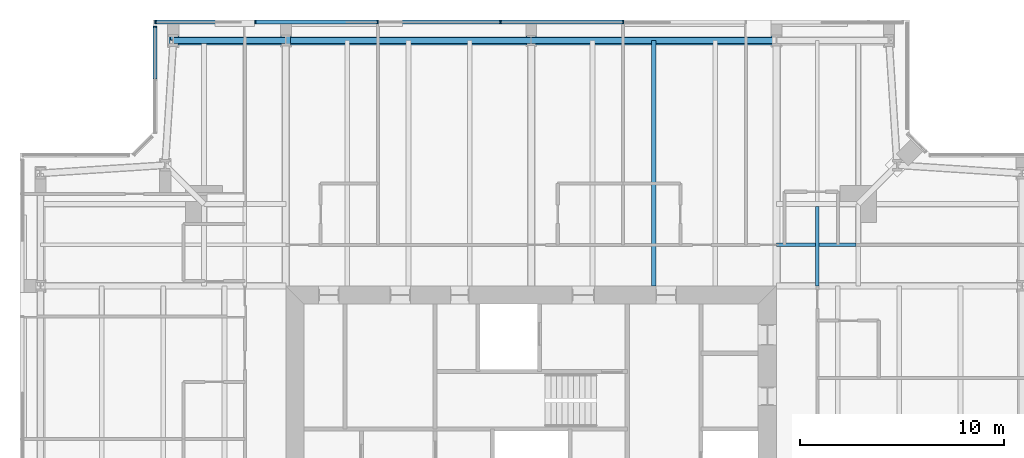
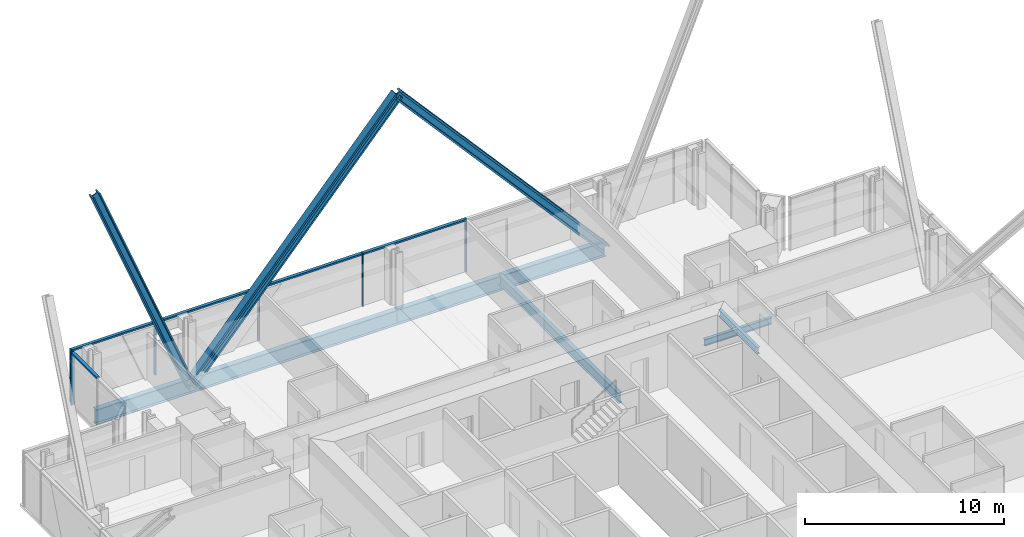
# One storey, part 8 of 18: 14 members, 7 beams, 2 elements without a shape of their own.
"""IFC4 building model written with IfcOpenShell, lengths in metres."""

from ifc_helpers import new_model, si_unit, direction, frame, origin, origin_2d, place, context, subcontext, project, spatial, rectangle, i_section, extrude, material, material_profile, profile_set, type_object, element, aggregate, save


model = new_model("IFC4")

# Units and contexts
model_context = context("Model", 3, precision=1e-05, world=origin(), true_north=direction((0.0, 1.0)))
body_context = subcontext(model_context, "Body", "Model", "MODEL_VIEW")
ifc_project = project(units=[si_unit("LENGTHUNIT", "METRE"), si_unit("AREAUNIT", "SQUARE_METRE"), si_unit("VOLUMEUNIT", "CUBIC_METRE"), si_unit("PLANEANGLEUNIT", "RADIAN"), si_unit("MASSUNIT", "GRAM", prefix="KILO")], contexts=[model_context])

# Site, building, storey
site_placement = place(None, origin())
site = spatial("IfcSite", under=ifc_project, at=site_placement, CompositionType="ELEMENT")
building_placement = place(site_placement, origin())
building = spatial("IfcBuilding", under=site, at=building_placement, Name="Fenwick Lantern Interchange", CompositionType="ELEMENT")
storey_placement = place(building_placement, frame((0.0, 0.0, 269.60009765625)))
storey = spatial("IfcBuildingStorey", under=building, at=storey_placement, Name="L64", CompositionType="ELEMENT", Elevation=269.60009765625)

# Beams
ifc_material_1 = material(Name="Steel ASTM A992 Grade 50", Category="steel")
ifc_material_profile_1 = material_profile(ifc_material_1, i_section(OverallWidth=0.3046875, OverallDepth=0.911865234375, WebThickness=0.015869140625, FlangeThickness=0.02392578125, at=origin_2d()), Name="W36X150")
ifc_profile_set_1 = profile_set([ifc_material_profile_1], Name="Steel ASTM A992 Grade 50")
beam_type_1 = type_object("IfcBeamType", Name="EDGE BEAM W36X150", PredefinedType="SPANDREL", material=ifc_profile_set_1)
for number, where, z_axis, x_axis, name in (
    (1, (37.0, 49.0, -0.60595703125), (-1.0, 0.0, 0.0), (0.0, -1.0, 0.0), "L64/FR/N/EB2"),
    (2, (25.0, 49.0, -0.60595703125), (-1.0, 0.0, 0.0), (0.0, -1.0, 0.0), "L64/FR/N/EB3"),
):
    element("IfcBeam", number, at=place(storey_placement, frame(where, z_axis=z_axis, x_axis=x_axis)), inside=storey, type_object=beam_type_1, Name=name, PredefinedType="SPANDREL", context=body_context, shape_type="SweptSolid", body=[
        extrude(i_section(OverallWidth=0.3046875, OverallDepth=0.911865234375, WebThickness=0.015869140625, FlangeThickness=0.02392578125, at=origin_2d()), origin(), (0.0, 0.0, 1.0), 12.0),
    ])
beam_1_placement = place(storey_placement, frame((13.0, 49.0, -0.60595703125), z_axis=(-1.0, 0.0, 0.0), x_axis=(0.0, -1.0, 0.0)))
element("IfcBeam", 3, at=beam_1_placement, inside=storey, type_object=beam_type_1, Name="L64/FR/N/EB4", PredefinedType="SPANDREL", context=body_context, shape_type="SweptSolid", body=[
    extrude(i_section(OverallWidth=0.3046875, OverallDepth=0.911865234375, WebThickness=0.015869140625, FlangeThickness=0.02392578125, at=origin_2d()), origin(), (0.0, 0.0, 1.0), 5.5),
])

# Members
ifc_material_profile_2 = material_profile(ifc_material_1, i_section(OverallWidth=0.424072265625, OverallDepth=0.47509765625, WebThickness=0.0478515625, FlangeThickness=0.0771484375, at=origin_2d()), Name="W14X426")
ifc_profile_set_2 = profile_set([ifc_material_profile_2], Name="Steel ASTM A992 Grade 50")
member_type_1 = type_object("IfcMemberType", Name="FACADE BRACE W14X426", PredefinedType="BRACE", material=ifc_profile_set_2)
member_1_placement = place(storey_placement, frame((13.0, 49.0, -0.60595703125), z_axis=(-0.37491730453, 0.0, 0.92705825856), x_axis=(0.0, -1.0, 0.0)))
element("IfcMember", 4, at=member_1_placement, inside=storey, type_object=member_type_1, Name="L64/FB/N/BE", PredefinedType="BRACE", context=body_context, shape_type="SweptSolid", body=[
    extrude(i_section(OverallWidth=0.424072265625, OverallDepth=0.47509765625, WebThickness=0.0478515625, FlangeThickness=0.0771484375, at=origin_2d()), origin(), (0.0, 0.0, 1.0), 14.669921875),
])
ifc_material_profile_3 = material_profile(ifc_material_1, i_section(OverallWidth=0.44189453125, OverallDepth=0.53076171875, WebThickness=0.06591796875, FlangeThickness=0.105712890625, at=origin_2d()), Name="W14X605")
ifc_profile_set_3 = profile_set([ifc_material_profile_3], Name="Steel ASTM A992 Grade 50")
member_type_2 = type_object("IfcMemberType", Name="FACADE BRACE W14X605", PredefinedType="BRACE", material=ifc_profile_set_3)
for number, where, z_axis, x_axis, name in (
    (5, (37.0, 49.0, -0.60595703125), (-0.661625643894, 0.0, 0.749834319928), (0.0, -1.0, 0.0), "L64/FB/N/A"),
    (6, (13.0, 49.0, -0.60595703125), (0.661625643894, 0.0, 0.749834319928), (0.0, 1.0, 0.0), "L64/FB/N/B"),
):
    element("IfcMember", number, at=place(storey_placement, frame(where, z_axis=z_axis, x_axis=x_axis)), inside=storey, type_object=member_type_2, Name=name, PredefinedType="BRACE", context=body_context, shape_type="SweptSolid", body=[
        extrude(i_section(OverallWidth=0.44189453125, OverallDepth=0.53076171875, WebThickness=0.06591796875, FlangeThickness=0.105712890625, at=origin_2d()), origin(), (0.0, 0.0, 1.0), 18.13720703125),
    ])

# Beam
ifc_material_profile_4 = material_profile(ifc_material_1, i_section(OverallWidth=0.22900390625, OverallDepth=0.612060546875, WebThickness=0.011962890625, FlangeThickness=0.01953125, at=origin_2d()), Name="W24X84")
ifc_profile_set_4 = profile_set([ifc_material_profile_4], Name="Steel ASTM A992 Grade 50")
beam_type_2 = type_object("IfcBeamType", Name="FLOOR BEAM W24X84", PredefinedType="BEAM", material=ifc_profile_set_4)
beam_2_placement = place(storey_placement, frame((31.0, 49.0, -0.4560546875), z_axis=(0.0, -1.0, 0.0), x_axis=(1.0, 0.0, 0.0)))
element("IfcBeam", 7, at=beam_2_placement, inside=storey, type_object=beam_type_2, Name="L64/FR/N/R03", PredefinedType="BEAM", context=body_context, shape_type="SweptSolid", body=[
    extrude(i_section(OverallWidth=0.22900390625, OverallDepth=0.612060546875, WebThickness=0.011962890625, FlangeThickness=0.01953125, at=origin_2d()), origin(), (0.0, 0.0, 1.0), 12.0),
])

# Curtain wall, members
ifc_material_2 = material(Name="Aluminium curtain wall frame", Category="aluminium")
curtain_wall_type = type_object("IfcCurtainWallType", Name="HOTEL CURTAIN WALL", PredefinedType="USERDEFINED", material=ifc_material_2)
curtain_wall_1_placement = place(storey_placement, origin())
curtain_wall_1 = element("IfcCurtainWall", 8, at=curtain_wall_1_placement, inside=storey, type_object=curtain_wall_type, Name="Hotel curtain wall 09", ObjectType="HOTEL CURTAIN WALL", PredefinedType="USERDEFINED")
ifc_material_3 = material(Name="Aluminium extrusion", Category="aluminium")
ifc_material_profile_5 = material_profile(ifc_material_3, rectangle(XDim=0.179931640625, YDim=0.06005859375, at=origin_2d()), Name="HOTEL CURTAIN WALL MULLION 60 X 180")
ifc_profile_set_5 = profile_set([ifc_material_profile_5], Name="Aluminium extrusion")
member_type_3 = type_object("IfcMemberType", Name="HOTEL CURTAIN WALL MULLION 60 X 180", PredefinedType="MULLION", material=ifc_profile_set_5)
member_2_placement = place(storey_placement, frame((29.5, 49.89990234375, 0.0), z_axis=(0.0, 0.0, 1.0), x_axis=(0.0, -1.0, 0.0)))
member_2 = element("IfcMember", 9, at=member_2_placement, type_object=member_type_3, Name="L64/CW/09/M03", PredefinedType="MULLION", context=body_context, shape_type="SweptSolid", body=[
    extrude(rectangle(XDim=0.179931640625, YDim=0.06005859375, at=origin_2d()), origin(), (0.0, 0.0, 1.0), 3.25),
])
member_3_placement = place(storey_placement, frame((23.5, 49.89990234375, 0.0), z_axis=(0.0, 0.0, 1.0), x_axis=(0.0, -1.0, 0.0)))
member_3 = element("IfcMember", 10, at=member_3_placement, type_object=member_type_3, Name="L64/CW/09/M04", PredefinedType="MULLION", context=body_context, shape_type="SweptSolid", body=[
    extrude(rectangle(XDim=0.179931640625, YDim=0.06005859375, at=origin_2d()), origin(), (0.0, 0.0, 1.0), 3.25),
])
member_4_placement = place(storey_placement, frame((17.5, 49.89990234375, 0.0), z_axis=(0.0, 0.0, 1.0), x_axis=(0.0, -1.0, 0.0)))
member_4 = element("IfcMember", 11, at=member_4_placement, type_object=member_type_3, Name="L64/CW/09/M05", PredefinedType="MULLION", context=body_context, shape_type="SweptSolid", body=[
    extrude(rectangle(XDim=0.179931640625, YDim=0.06005859375, at=origin_2d()), origin(), (0.0, 0.0, 1.0), 3.25),
])
member_5_placement = place(storey_placement, frame((11.5, 49.89990234375, 0.0), z_axis=(0.0, 0.0, 1.0), x_axis=(0.0, -1.0, 0.0)))
member_5 = element("IfcMember", 12, at=member_5_placement, type_object=member_type_3, Name="L64/CW/09/M06", PredefinedType="MULLION", context=body_context, shape_type="SweptSolid", body=[
    extrude(rectangle(XDim=0.179931640625, YDim=0.06005859375, at=origin_2d()), origin(), (0.0, 0.0, 1.0), 3.25),
])
member_6_placement = place(storey_placement, frame((6.6298828125, 49.89990234375, 0.0), z_axis=(0.0, 0.0, 1.0), x_axis=(0.0, -1.0, 0.0)))
member_6 = element("IfcMember", 13, at=member_6_placement, type_object=member_type_3, Name="L64/CW/09/M07", PredefinedType="MULLION", context=body_context, shape_type="SweptSolid", body=[
    extrude(rectangle(XDim=0.179931640625, YDim=0.06005859375, at=origin_2d()), origin(), (0.0, 0.0, 1.0), 3.25),
])

# Curtain wall, member
curtain_wall_2_placement = place(storey_placement, origin())
curtain_wall_2 = element("IfcCurtainWall", 14, at=curtain_wall_2_placement, inside=storey, type_object=curtain_wall_type, Name="Hotel curtain wall 10", ObjectType="HOTEL CURTAIN WALL", PredefinedType="USERDEFINED")
member_7_placement = place(storey_placement, frame((6.60009765625, 49.669921875, 0.0), z_axis=(0.0, 0.0, 1.0), x_axis=(1.0, 0.0, 0.0)))
member_7 = element("IfcMember", 15, at=member_7_placement, type_object=member_type_3, Name="L64/CW/10/M00", PredefinedType="MULLION", context=body_context, shape_type="SweptSolid", body=[
    extrude(rectangle(XDim=0.179931640625, YDim=0.06005859375, at=origin_2d()), origin(), (0.0, 0.0, 1.0), 3.25),
])

# Member
ifc_material_profile_6 = material_profile(ifc_material_3, rectangle(XDim=0.179931640625, YDim=0.10009765625, at=origin_2d()), Name="HOTEL CURTAIN WALL TRANSOM 100 X 180")
ifc_profile_set_6 = profile_set([ifc_material_profile_6], Name="Aluminium extrusion")
member_type_4 = type_object("IfcMemberType", Name="HOTEL CURTAIN WALL TRANSOM 100 X 180", PredefinedType="MULLION", material=ifc_profile_set_6)
member_8_placement = place(storey_placement, frame((29.469970703125, 49.89990234375, 3.199951171875), z_axis=(-1.0, 0.0, 0.0), x_axis=(0.0, -1.0, 0.0)))
member_8 = element("IfcMember", 16, at=member_8_placement, type_object=member_type_4, Name="L64/CW/09/T03", PredefinedType="MULLION", context=body_context, shape_type="SweptSolid", body=[
    extrude(rectangle(XDim=0.179931640625, YDim=0.10009765625, at=origin_2d()), origin(), (0.0, 0.0, 1.0), 5.93994140625),
])

member_9_placement = place(storey_placement, frame((23.469970703125, 49.89990234375, 3.199951171875), z_axis=(-1.0, 0.0, 0.0), x_axis=(0.0, -1.0, 0.0)))
member_9 = element("IfcMember", 17, at=member_9_placement, type_object=member_type_4, Name="L64/CW/09/T04", PredefinedType="MULLION", context=body_context, shape_type="SweptSolid", body=[
    extrude(rectangle(XDim=0.179931640625, YDim=0.10009765625, at=origin_2d()), origin(), (0.0, 0.0, 1.0), 5.93994140625),
])

member_10_placement = place(storey_placement, frame((17.469970703125, 49.89990234375, 3.199951171875), z_axis=(-1.0, 0.0, 0.0), x_axis=(0.0, -1.0, 0.0)))
member_10 = element("IfcMember", 18, at=member_10_placement, type_object=member_type_4, Name="L64/CW/09/T05", PredefinedType="MULLION", context=body_context, shape_type="SweptSolid", body=[
    extrude(rectangle(XDim=0.179931640625, YDim=0.10009765625, at=origin_2d()), origin(), (0.0, 0.0, 1.0), 5.93994140625),
])

member_11_placement = place(storey_placement, frame((11.469970703125, 49.89990234375, 3.199951171875), z_axis=(-1.0, 0.0, 0.0), x_axis=(0.0, -1.0, 0.0)))
member_11 = element("IfcMember", 19, at=member_11_placement, type_object=member_type_4, Name="L64/CW/09/T06", PredefinedType="MULLION", context=body_context, shape_type="SweptSolid", body=[
    extrude(rectangle(XDim=0.179931640625, YDim=0.10009765625, at=origin_2d()), origin(), (0.0, 0.0, 1.0), 4.81005859375),
])

aggregate(curtain_wall_1, [member_2, member_3, member_4, member_5, member_6, member_8, member_9, member_10, member_11])

member_12_placement = place(storey_placement, frame((6.60009765625, 49.639892578125, 3.199951171875), z_axis=(0.0, -1.0, 0.0), x_axis=(1.0, 0.0, 0.0)))
member_12 = element("IfcMember", 20, at=member_12_placement, type_object=member_type_4, Name="L64/CW/10/T00", PredefinedType="MULLION", context=body_context, shape_type="SweptSolid", body=[
    extrude(rectangle(XDim=0.179931640625, YDim=0.10009765625, at=origin_2d()), origin(), (0.0, 0.0, 1.0), 2.530517578125),
])

aggregate(curtain_wall_2, [member_7, member_12])

# Beams
ifc_material_profile_7 = material_profile(ifc_material_1, i_section(OverallWidth=0.177734375, OverallDepth=0.406494140625, WebThickness=0.0078125, FlangeThickness=0.012939453125, at=origin_2d()), Name="W16X40")
ifc_profile_set_7 = profile_set([ifc_material_profile_7], Name="Steel ASTM A992 Grade 50")
beam_type_3 = type_object("IfcBeamType", Name="INFILL BEAM W16X40", PredefinedType="JOIST", material=ifc_profile_set_7)
beam_3_placement = place(storey_placement, frame((39.0, 40.885498046875, -0.353271484375), z_axis=(0.0, -1.0, 0.0), x_axis=(1.0, 0.0, 0.0)))
element("IfcBeam", 21, at=beam_3_placement, inside=storey, type_object=beam_type_3, Name="L64/FR/N/J2", PredefinedType="JOIST", context=body_context, shape_type="SweptSolid", body=[
    extrude(i_section(OverallWidth=0.177734375, OverallDepth=0.406494140625, WebThickness=0.0078125, FlangeThickness=0.012939453125, at=origin_2d()), origin(), (0.0, 0.0, 1.0), 3.885498046875),
])
beam_4_placement = place(storey_placement, frame((40.885498046875, 39.0, -0.353271484375), z_axis=(-1.0, 0.0, 0.0), x_axis=(0.0, -1.0, 0.0)))
element("IfcBeam", 22, at=beam_4_placement, inside=storey, type_object=beam_type_3, Name="L64/FR/N/J4", PredefinedType="JOIST", context=body_context, shape_type="SweptSolid", body=[
    extrude(i_section(OverallWidth=0.177734375, OverallDepth=0.406494140625, WebThickness=0.0078125, FlangeThickness=0.012939453125, at=origin_2d()), origin(), (0.0, 0.0, 1.0), 1.796630859375),
])
beam_5_placement = place(storey_placement, frame((38.9111328125, 39.0, -0.353271484375), z_axis=(-1.0, 0.0, 0.0), x_axis=(0.0, -1.0, 0.0)))
element("IfcBeam", 23, at=beam_5_placement, inside=storey, type_object=beam_type_3, Name="L64/FR/N/J5", PredefinedType="JOIST", context=body_context, shape_type="SweptSolid", body=[
    extrude(i_section(OverallWidth=0.177734375, OverallDepth=0.406494140625, WebThickness=0.0078125, FlangeThickness=0.012939453125, at=origin_2d()), origin(), (0.0, 0.0, 1.0), 1.9111328125),
])

save(model, "model.ifc")
